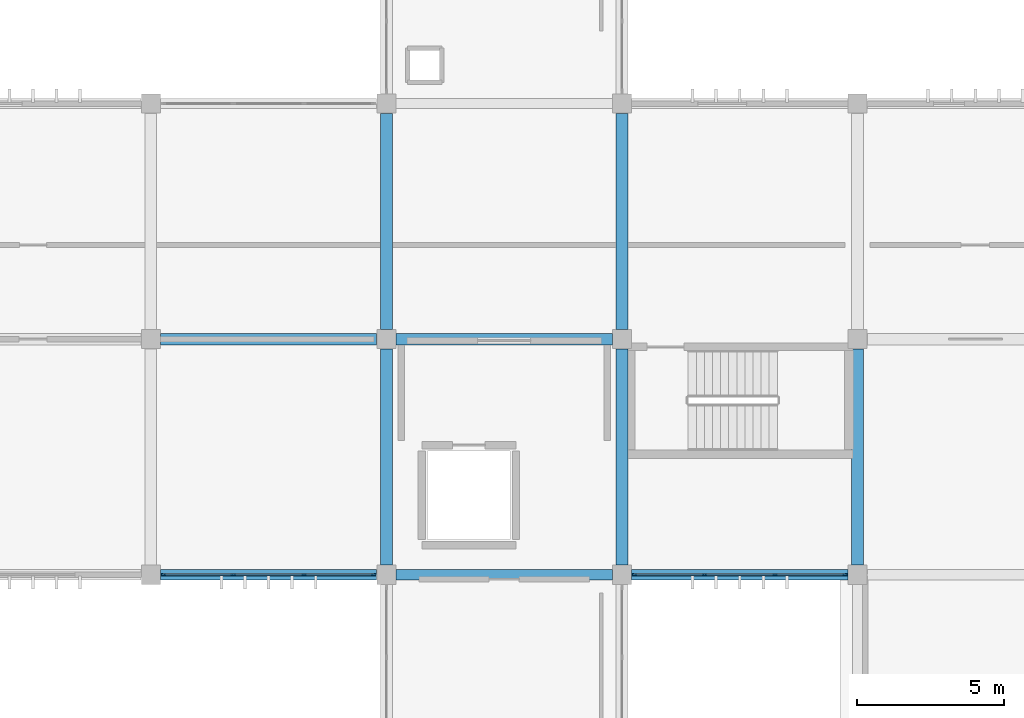
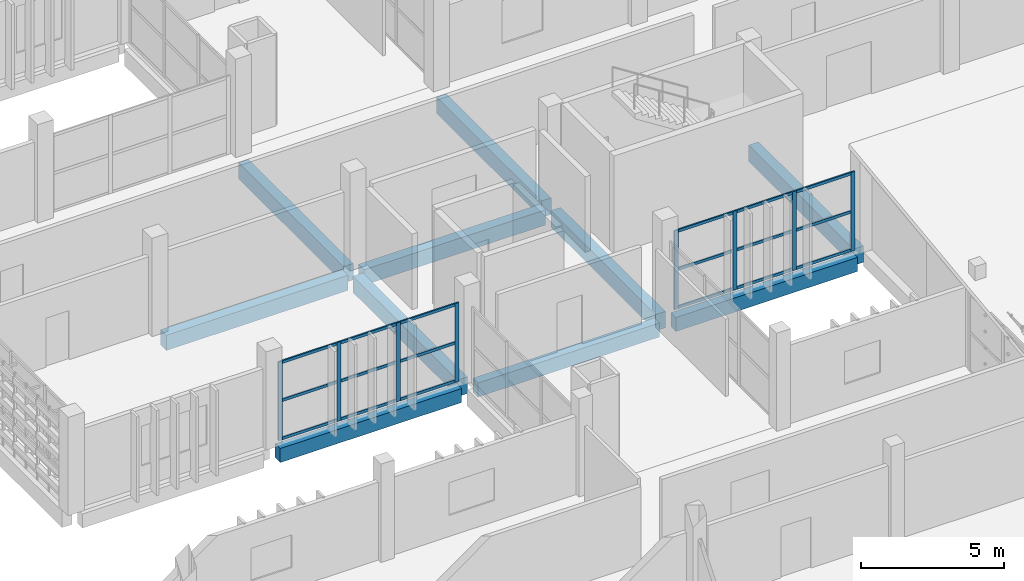
# One storey, part 44 of 83: 26 members, 10 beams, 2 elements without a shape of their own.
"""IFC4 building model written with IfcOpenShell, lengths in metres."""

from ifc_helpers import new_model, si_unit, direction, frame, origin, origin_2d, place, context, subcontext, project, spatial, rectangle, extrude, material, layer, layer_set, material_profile, profile_set, type_object, element, aggregate, save


model = new_model("IFC4")

# Units and contexts
model_context = context("Model", 3, precision=1e-05, world=origin(), true_north=direction((0.0, 1.0)))
body_context = subcontext(model_context, "Body", "Model", "MODEL_VIEW")
ifc_project = project(units=[si_unit("LENGTHUNIT", "METRE"), si_unit("AREAUNIT", "SQUARE_METRE"), si_unit("VOLUMEUNIT", "CUBIC_METRE"), si_unit("PLANEANGLEUNIT", "RADIAN"), si_unit("MASSUNIT", "GRAM", prefix="KILO")], contexts=[model_context])

# Site, building, storey
site_placement = place(None, origin())
site = spatial("IfcSite", under=ifc_project, at=site_placement, CompositionType="ELEMENT")
building_placement = place(site_placement, origin())
building = spatial("IfcBuilding", under=site, at=building_placement, Name="Jelvoka-Kovrelna Polytechnic", CompositionType="ELEMENT")
storey_placement = place(building_placement, frame((0.0, 0.0, 13.800048828125)))
storey = spatial("IfcBuildingStorey", under=building, at=storey_placement, Name="L04", CompositionType="ELEMENT", Elevation=13.800048828125)

# Beams
ifc_material_1 = material(Name="Concrete C40/50", Category="concrete")
ifc_material_profile_1 = material_profile(ifc_material_1, rectangle(XDim=0.39990234375, YDim=0.64990234375, at=origin_2d()), Name="RC 400x650")
ifc_profile_set_1 = profile_set([ifc_material_profile_1], Name="Concrete C40/50")
beam_type_1 = type_object("IfcBeamType", Name="Beam_RC_400x650", PredefinedType="BEAM", material=ifc_profile_set_1)
for number, where, z_axis, x_axis, name in (
    (1, (136.330078125, 40.0, -0.574951171875), (1.0, 0.0, 0.0), (0.0, 1.0, 0.0), "L04 beam 1222"),
    (2, (144.330078125, 40.0, -0.574951171875), (1.0, 0.0, 0.0), (0.0, 1.0, 0.0), "L04 beam 1223"),
):
    element("IfcBeam", number, at=place(storey_placement, frame(where, z_axis=z_axis, x_axis=x_axis)), inside=storey, type_object=beam_type_1, Name=name, PredefinedType="BEAM", context=body_context, shape_type="SweptSolid", body=[
        extrude(rectangle(XDim=0.39990234375, YDim=0.64990234375, at=origin_2d()), origin(), (0.0, 0.0, 1.0), 7.33984375),
    ])
ifc_material_2 = material(Name="Concrete C40/50", Category="concrete")
ifc_material_profile_2 = material_profile(ifc_material_2, rectangle(XDim=0.39990234375, YDim=0.699951171875, at=origin_2d()), Name="RC 400x700")
ifc_profile_set_2 = profile_set([ifc_material_profile_2], Name="Concrete C40/50")
beam_type_2 = type_object("IfcBeamType", Name="Beam_RC_400x700", PredefinedType="BEAM", material=ifc_profile_set_2)
for number, where, z_axis, x_axis, name in (
    (3, (144.0, 32.330078125, -0.60009765625), (0.0, 1.0, 0.0), (-1.0, 0.0, 0.0), "L04 beam 1242"),
    (4, (144.0, 40.330078125, -0.60009765625), (0.0, 1.0, 0.0), (-1.0, 0.0, 0.0), "L04 beam 1243"),
    (5, (152.0, 32.330078125, -0.60009765625), (0.0, 1.0, 0.0), (-1.0, 0.0, 0.0), "L04 beam 1244"),
    (6, (152.0, 40.330078125, -0.60009765625), (0.0, 1.0, 0.0), (-1.0, 0.0, 0.0), "L04 beam 1245"),
    (7, (160.0, 32.330078125, -0.60009765625), (0.0, 1.0, 0.0), (-1.0, 0.0, 0.0), "L04 beam 1246"),
):
    element("IfcBeam", number, at=place(storey_placement, frame(where, z_axis=z_axis, x_axis=x_axis)), inside=storey, type_object=beam_type_2, Name=name, PredefinedType="BEAM", context=body_context, shape_type="SweptSolid", body=[
        extrude(rectangle(XDim=0.39990234375, YDim=0.699951171875, at=origin_2d()), origin(), (0.0, 0.0, 1.0), 7.33984375),
    ])

# Curtain wall, members
ifc_material_3 = material(Name="Anodised aluminium 6063-T6", Category="aluminium")
ifc_layer = layer(ifc_material_3, 0.159912109375)
ifc_layer_set = layer_set([ifc_layer], Name="Anodised aluminium 6063-T6")
curtain_wall_type = type_object("IfcCurtainWallType", Name="CW_Recessed_A", PredefinedType="NOTDEFINED", material=ifc_layer_set)
curtain_wall_1_placement = place(storey_placement, origin())
curtain_wall_1 = element("IfcCurtainWall", 8, at=curtain_wall_1_placement, inside=storey, type_object=curtain_wall_type, Name="L04 glazed curtain wall 062", PredefinedType="NOTDEFINED")
ifc_material_4 = material(Name="Anodised aluminium 6063-T6", Category="aluminium")
ifc_material_profile_3 = material_profile(ifc_material_4, rectangle(XDim=0.06005859375, YDim=0.159912109375, at=origin_2d()), Name="ALU 60x160")
ifc_profile_set_3 = profile_set([ifc_material_profile_3], Name="Anodised aluminium 6063-T6")
member_type_1 = type_object("IfcMemberType", Name="Mullion_M-01", PredefinedType="MULLION", material=ifc_profile_set_3)
member_1_placement = place(storey_placement, frame((143.570068359375, 32.0, -0.02490234375), z_axis=(0.0, 0.0, 1.0), x_axis=(0.0, -1.0, 0.0)))
member_1 = element("IfcMember", 9, at=member_1_placement, type_object=member_type_1, Name="CW-01 mullion 1", PredefinedType="MULLION", context=body_context, shape_type="SweptSolid", body=[
    extrude(rectangle(XDim=0.06005859375, YDim=0.159912109375, at=origin_2d()), origin(), (0.0, 0.0, 1.0), 3.375),
])
member_2_placement = place(storey_placement, frame((141.199951171875, 32.0, -0.02490234375), z_axis=(0.0, 0.0, 1.0), x_axis=(0.0, -1.0, 0.0)))
member_2 = element("IfcMember", 10, at=member_2_placement, type_object=member_type_1, Name="CW-01 mullion 2", PredefinedType="MULLION", context=body_context, shape_type="SweptSolid", body=[
    extrude(rectangle(XDim=0.06005859375, YDim=0.159912109375, at=origin_2d()), origin(), (0.0, 0.0, 1.0), 3.375),
])
member_3_placement = place(storey_placement, frame((138.800048828125, 32.0, -0.02490234375), z_axis=(0.0, 0.0, 1.0), x_axis=(0.0, -1.0, 0.0)))
member_3 = element("IfcMember", 11, at=member_3_placement, type_object=member_type_1, Name="CW-01 mullion 3", PredefinedType="MULLION", context=body_context, shape_type="SweptSolid", body=[
    extrude(rectangle(XDim=0.06005859375, YDim=0.159912109375, at=origin_2d()), origin(), (0.0, 0.0, 1.0), 3.375),
])
member_4_placement = place(storey_placement, frame((136.429931640625, 32.0, -0.02490234375), z_axis=(0.0, 0.0, 1.0), x_axis=(0.0, -1.0, 0.0)))
member_4 = element("IfcMember", 12, at=member_4_placement, type_object=member_type_1, Name="CW-01 mullion 4", PredefinedType="MULLION", context=body_context, shape_type="SweptSolid", body=[
    extrude(rectangle(XDim=0.06005859375, YDim=0.159912109375, at=origin_2d()), origin(), (0.0, 0.0, 1.0), 3.375),
])

curtain_wall_2_placement = place(storey_placement, origin())
curtain_wall_2 = element("IfcCurtainWall", 13, at=curtain_wall_2_placement, inside=storey, type_object=curtain_wall_type, Name="L04 glazed curtain wall 064", PredefinedType="NOTDEFINED")
member_5_placement = place(storey_placement, frame((159.570068359375, 32.0, -0.02490234375), z_axis=(0.0, 0.0, 1.0), x_axis=(0.0, -1.0, 0.0)))
member_5 = element("IfcMember", 14, at=member_5_placement, type_object=member_type_1, Name="CW-01 mullion 1", PredefinedType="MULLION", context=body_context, shape_type="SweptSolid", body=[
    extrude(rectangle(XDim=0.06005859375, YDim=0.159912109375, at=origin_2d()), origin(), (0.0, 0.0, 1.0), 3.375),
])
member_6_placement = place(storey_placement, frame((157.199951171875, 32.0, -0.02490234375), z_axis=(0.0, 0.0, 1.0), x_axis=(0.0, -1.0, 0.0)))
member_6 = element("IfcMember", 15, at=member_6_placement, type_object=member_type_1, Name="CW-01 mullion 2", PredefinedType="MULLION", context=body_context, shape_type="SweptSolid", body=[
    extrude(rectangle(XDim=0.06005859375, YDim=0.159912109375, at=origin_2d()), origin(), (0.0, 0.0, 1.0), 3.375),
])
member_7_placement = place(storey_placement, frame((154.800048828125, 32.0, -0.02490234375), z_axis=(0.0, 0.0, 1.0), x_axis=(0.0, -1.0, 0.0)))
member_7 = element("IfcMember", 16, at=member_7_placement, type_object=member_type_1, Name="CW-01 mullion 3", PredefinedType="MULLION", context=body_context, shape_type="SweptSolid", body=[
    extrude(rectangle(XDim=0.06005859375, YDim=0.159912109375, at=origin_2d()), origin(), (0.0, 0.0, 1.0), 3.375),
])
member_8_placement = place(storey_placement, frame((152.429931640625, 32.0, -0.02490234375), z_axis=(0.0, 0.0, 1.0), x_axis=(0.0, -1.0, 0.0)))
member_8 = element("IfcMember", 17, at=member_8_placement, type_object=member_type_1, Name="CW-01 mullion 4", PredefinedType="MULLION", context=body_context, shape_type="SweptSolid", body=[
    extrude(rectangle(XDim=0.06005859375, YDim=0.159912109375, at=origin_2d()), origin(), (0.0, 0.0, 1.0), 3.375),
])

# Beams
ifc_material_5 = material(Name="Concrete C40/50", Category="concrete")
ifc_material_profile_4 = material_profile(ifc_material_5, rectangle(XDim=0.35009765625, YDim=0.60009765625, at=origin_2d()), Name="RC 350x600")
ifc_profile_set_4 = profile_set([ifc_material_profile_4], Name="Concrete C40/50")
beam_type_3 = type_object("IfcBeamType", Name="Spandrel_RC_350x600", PredefinedType="SPANDREL", material=ifc_profile_set_4)
for number, where, z_axis, x_axis, name in (
    (18, (136.330078125, 32.0, -0.550048828125), (1.0, 0.0, 0.0), (0.0, 1.0, 0.0), "L04 beam 1213"),
    (19, (144.330078125, 32.0, -0.550048828125), (1.0, 0.0, 0.0), (0.0, 1.0, 0.0), "L04 beam 1214"),
    (20, (152.330078125, 32.0, -0.550048828125), (1.0, 0.0, 0.0), (0.0, 1.0, 0.0), "L04 beam 1215"),
):
    element("IfcBeam", number, at=place(storey_placement, frame(where, z_axis=z_axis, x_axis=x_axis)), inside=storey, type_object=beam_type_3, Name=name, PredefinedType="SPANDREL", context=body_context, shape_type="SweptSolid", body=[
        extrude(rectangle(XDim=0.35009765625, YDim=0.60009765625, at=origin_2d()), origin(), (0.0, 0.0, 1.0), 7.33984375),
    ])

# Member
ifc_material_6 = material(Name="Anodised aluminium 6063-T6", Category="aluminium")
ifc_material_profile_5 = material_profile(ifc_material_6, rectangle(XDim=0.06005859375, YDim=0.1201171875, at=origin_2d()), Name="ALU 60x120")
ifc_profile_set_5 = profile_set([ifc_material_profile_5], Name="Anodised aluminium 6063-T6")
member_type_2 = type_object("IfcMemberType", Name="Transom_T-01", PredefinedType="USERDEFINED", material=ifc_profile_set_5)
member_9_placement = place(storey_placement, frame((143.5400390625, 32.0, 0.030029296875), z_axis=(-1.0, 0.0, 0.0), x_axis=(0.0, -1.0, 0.0)))
member_9 = element("IfcMember", 21, at=member_9_placement, type_object=member_type_2, Name="CW-01 transom 1.1", ObjectType="TRANSOM", PredefinedType="USERDEFINED", context=body_context, shape_type="SweptSolid", body=[
    extrude(rectangle(XDim=0.06005859375, YDim=0.1201171875, at=origin_2d()), origin(), (0.0, 0.0, 1.0), 2.31005859375),
])

member_10_placement = place(storey_placement, frame((143.5400390625, 32.0, 1.662353515625), z_axis=(-1.0, 0.0, 0.0), x_axis=(0.0, -1.0, 0.0)))
member_10 = element("IfcMember", 22, at=member_10_placement, type_object=member_type_2, Name="CW-01 transom 1.2", ObjectType="TRANSOM", PredefinedType="USERDEFINED", context=body_context, shape_type="SweptSolid", body=[
    extrude(rectangle(XDim=0.06005859375, YDim=0.1201171875, at=origin_2d()), origin(), (0.0, 0.0, 1.0), 2.31005859375),
])

member_11_placement = place(storey_placement, frame((143.5400390625, 32.0, 3.294921875), z_axis=(-1.0, 0.0, 0.0), x_axis=(0.0, -1.0, 0.0)))
member_11 = element("IfcMember", 23, at=member_11_placement, type_object=member_type_2, Name="CW-01 transom 1.3", ObjectType="TRANSOM", PredefinedType="USERDEFINED", context=body_context, shape_type="SweptSolid", body=[
    extrude(rectangle(XDim=0.06005859375, YDim=0.1201171875, at=origin_2d()), origin(), (0.0, 0.0, 1.0), 2.31005859375),
])

member_12_placement = place(storey_placement, frame((141.169921875, 32.0, 0.030029296875), z_axis=(-1.0, 0.0, 0.0), x_axis=(0.0, -1.0, 0.0)))
member_12 = element("IfcMember", 24, at=member_12_placement, type_object=member_type_2, Name="CW-01 transom 2.1", ObjectType="TRANSOM", PredefinedType="USERDEFINED", context=body_context, shape_type="SweptSolid", body=[
    extrude(rectangle(XDim=0.06005859375, YDim=0.1201171875, at=origin_2d()), origin(), (0.0, 0.0, 1.0), 2.33984375),
])

member_13_placement = place(storey_placement, frame((141.169921875, 32.0, 1.662353515625), z_axis=(-1.0, 0.0, 0.0), x_axis=(0.0, -1.0, 0.0)))
member_13 = element("IfcMember", 25, at=member_13_placement, type_object=member_type_2, Name="CW-01 transom 2.2", ObjectType="TRANSOM", PredefinedType="USERDEFINED", context=body_context, shape_type="SweptSolid", body=[
    extrude(rectangle(XDim=0.06005859375, YDim=0.1201171875, at=origin_2d()), origin(), (0.0, 0.0, 1.0), 2.33984375),
])

member_14_placement = place(storey_placement, frame((141.169921875, 32.0, 3.294921875), z_axis=(-1.0, 0.0, 0.0), x_axis=(0.0, -1.0, 0.0)))
member_14 = element("IfcMember", 26, at=member_14_placement, type_object=member_type_2, Name="CW-01 transom 2.3", ObjectType="TRANSOM", PredefinedType="USERDEFINED", context=body_context, shape_type="SweptSolid", body=[
    extrude(rectangle(XDim=0.06005859375, YDim=0.1201171875, at=origin_2d()), origin(), (0.0, 0.0, 1.0), 2.33984375),
])

member_15_placement = place(storey_placement, frame((138.77001953125, 32.0, 0.030029296875), z_axis=(-1.0, 0.0, 0.0), x_axis=(0.0, -1.0, 0.0)))
member_15 = element("IfcMember", 27, at=member_15_placement, type_object=member_type_2, Name="CW-01 transom 3.1", ObjectType="TRANSOM", PredefinedType="USERDEFINED", context=body_context, shape_type="SweptSolid", body=[
    extrude(rectangle(XDim=0.06005859375, YDim=0.1201171875, at=origin_2d()), origin(), (0.0, 0.0, 1.0), 2.31005859375),
])

member_16_placement = place(storey_placement, frame((138.77001953125, 32.0, 1.662353515625), z_axis=(-1.0, 0.0, 0.0), x_axis=(0.0, -1.0, 0.0)))
member_16 = element("IfcMember", 28, at=member_16_placement, type_object=member_type_2, Name="CW-01 transom 3.2", ObjectType="TRANSOM", PredefinedType="USERDEFINED", context=body_context, shape_type="SweptSolid", body=[
    extrude(rectangle(XDim=0.06005859375, YDim=0.1201171875, at=origin_2d()), origin(), (0.0, 0.0, 1.0), 2.31005859375),
])

member_17_placement = place(storey_placement, frame((138.77001953125, 32.0, 3.294921875), z_axis=(-1.0, 0.0, 0.0), x_axis=(0.0, -1.0, 0.0)))
member_17 = element("IfcMember", 29, at=member_17_placement, type_object=member_type_2, Name="CW-01 transom 3.3", ObjectType="TRANSOM", PredefinedType="USERDEFINED", context=body_context, shape_type="SweptSolid", body=[
    extrude(rectangle(XDim=0.06005859375, YDim=0.1201171875, at=origin_2d()), origin(), (0.0, 0.0, 1.0), 2.31005859375),
])

aggregate(curtain_wall_1, [member_1, member_2, member_3, member_4, member_9, member_10, member_11, member_12, member_13, member_14, member_15, member_16, member_17])

member_18_placement = place(storey_placement, frame((159.5400390625, 32.0, 0.030029296875), z_axis=(-1.0, 0.0, 0.0), x_axis=(0.0, -1.0, 0.0)))
member_18 = element("IfcMember", 30, at=member_18_placement, type_object=member_type_2, Name="CW-01 transom 1.1", ObjectType="TRANSOM", PredefinedType="USERDEFINED", context=body_context, shape_type="SweptSolid", body=[
    extrude(rectangle(XDim=0.06005859375, YDim=0.1201171875, at=origin_2d()), origin(), (0.0, 0.0, 1.0), 2.31005859375),
])

member_19_placement = place(storey_placement, frame((159.5400390625, 32.0, 1.662353515625), z_axis=(-1.0, 0.0, 0.0), x_axis=(0.0, -1.0, 0.0)))
member_19 = element("IfcMember", 31, at=member_19_placement, type_object=member_type_2, Name="CW-01 transom 1.2", ObjectType="TRANSOM", PredefinedType="USERDEFINED", context=body_context, shape_type="SweptSolid", body=[
    extrude(rectangle(XDim=0.06005859375, YDim=0.1201171875, at=origin_2d()), origin(), (0.0, 0.0, 1.0), 2.31005859375),
])

member_20_placement = place(storey_placement, frame((159.5400390625, 32.0, 3.294921875), z_axis=(-1.0, 0.0, 0.0), x_axis=(0.0, -1.0, 0.0)))
member_20 = element("IfcMember", 32, at=member_20_placement, type_object=member_type_2, Name="CW-01 transom 1.3", ObjectType="TRANSOM", PredefinedType="USERDEFINED", context=body_context, shape_type="SweptSolid", body=[
    extrude(rectangle(XDim=0.06005859375, YDim=0.1201171875, at=origin_2d()), origin(), (0.0, 0.0, 1.0), 2.31005859375),
])

member_21_placement = place(storey_placement, frame((157.169921875, 32.0, 0.030029296875), z_axis=(-1.0, 0.0, 0.0), x_axis=(0.0, -1.0, 0.0)))
member_21 = element("IfcMember", 33, at=member_21_placement, type_object=member_type_2, Name="CW-01 transom 2.1", ObjectType="TRANSOM", PredefinedType="USERDEFINED", context=body_context, shape_type="SweptSolid", body=[
    extrude(rectangle(XDim=0.06005859375, YDim=0.1201171875, at=origin_2d()), origin(), (0.0, 0.0, 1.0), 2.33984375),
])

member_22_placement = place(storey_placement, frame((157.169921875, 32.0, 1.662353515625), z_axis=(-1.0, 0.0, 0.0), x_axis=(0.0, -1.0, 0.0)))
member_22 = element("IfcMember", 34, at=member_22_placement, type_object=member_type_2, Name="CW-01 transom 2.2", ObjectType="TRANSOM", PredefinedType="USERDEFINED", context=body_context, shape_type="SweptSolid", body=[
    extrude(rectangle(XDim=0.06005859375, YDim=0.1201171875, at=origin_2d()), origin(), (0.0, 0.0, 1.0), 2.33984375),
])

member_23_placement = place(storey_placement, frame((157.169921875, 32.0, 3.294921875), z_axis=(-1.0, 0.0, 0.0), x_axis=(0.0, -1.0, 0.0)))
member_23 = element("IfcMember", 35, at=member_23_placement, type_object=member_type_2, Name="CW-01 transom 2.3", ObjectType="TRANSOM", PredefinedType="USERDEFINED", context=body_context, shape_type="SweptSolid", body=[
    extrude(rectangle(XDim=0.06005859375, YDim=0.1201171875, at=origin_2d()), origin(), (0.0, 0.0, 1.0), 2.33984375),
])

member_24_placement = place(storey_placement, frame((154.77001953125, 32.0, 0.030029296875), z_axis=(-1.0, 0.0, 0.0), x_axis=(0.0, -1.0, 0.0)))
member_24 = element("IfcMember", 36, at=member_24_placement, type_object=member_type_2, Name="CW-01 transom 3.1", ObjectType="TRANSOM", PredefinedType="USERDEFINED", context=body_context, shape_type="SweptSolid", body=[
    extrude(rectangle(XDim=0.06005859375, YDim=0.1201171875, at=origin_2d()), origin(), (0.0, 0.0, 1.0), 2.31005859375),
])

member_25_placement = place(storey_placement, frame((154.77001953125, 32.0, 1.662353515625), z_axis=(-1.0, 0.0, 0.0), x_axis=(0.0, -1.0, 0.0)))
member_25 = element("IfcMember", 37, at=member_25_placement, type_object=member_type_2, Name="CW-01 transom 3.2", ObjectType="TRANSOM", PredefinedType="USERDEFINED", context=body_context, shape_type="SweptSolid", body=[
    extrude(rectangle(XDim=0.06005859375, YDim=0.1201171875, at=origin_2d()), origin(), (0.0, 0.0, 1.0), 2.31005859375),
])

member_26_placement = place(storey_placement, frame((154.77001953125, 32.0, 3.294921875), z_axis=(-1.0, 0.0, 0.0), x_axis=(0.0, -1.0, 0.0)))
member_26 = element("IfcMember", 38, at=member_26_placement, type_object=member_type_2, Name="CW-01 transom 3.3", ObjectType="TRANSOM", PredefinedType="USERDEFINED", context=body_context, shape_type="SweptSolid", body=[
    extrude(rectangle(XDim=0.06005859375, YDim=0.1201171875, at=origin_2d()), origin(), (0.0, 0.0, 1.0), 2.31005859375),
])

aggregate(curtain_wall_2, [member_5, member_6, member_7, member_8, member_18, member_19, member_20, member_21, member_22, member_23, member_24, member_25, member_26])

save(model, "model.ifc")
